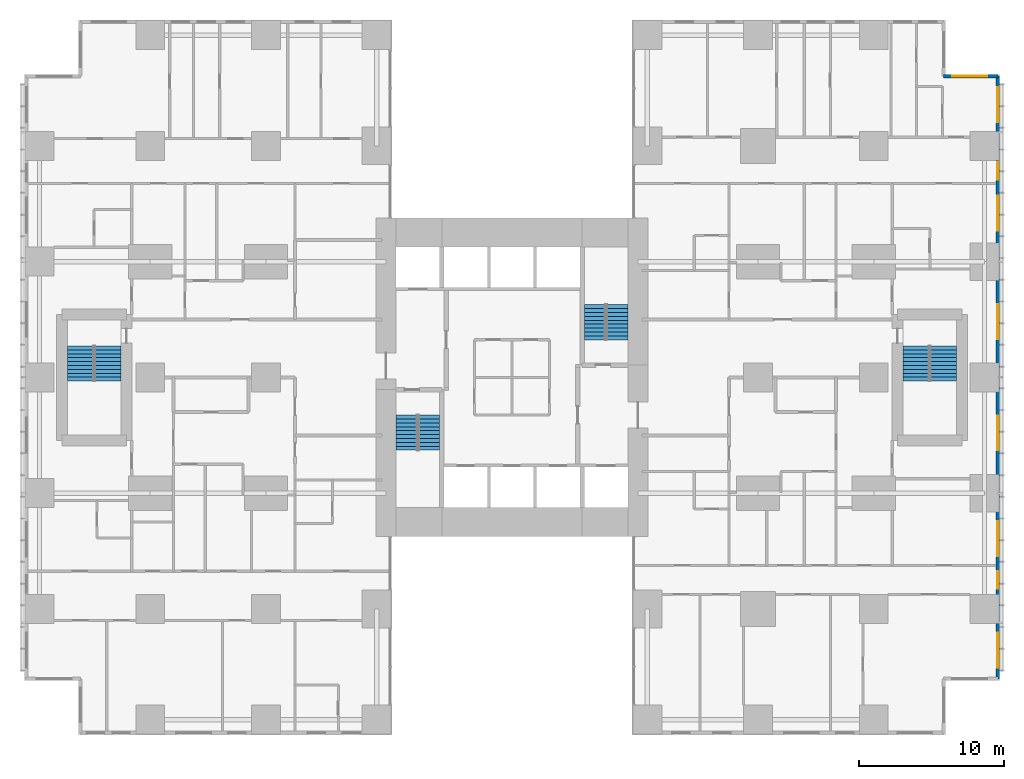
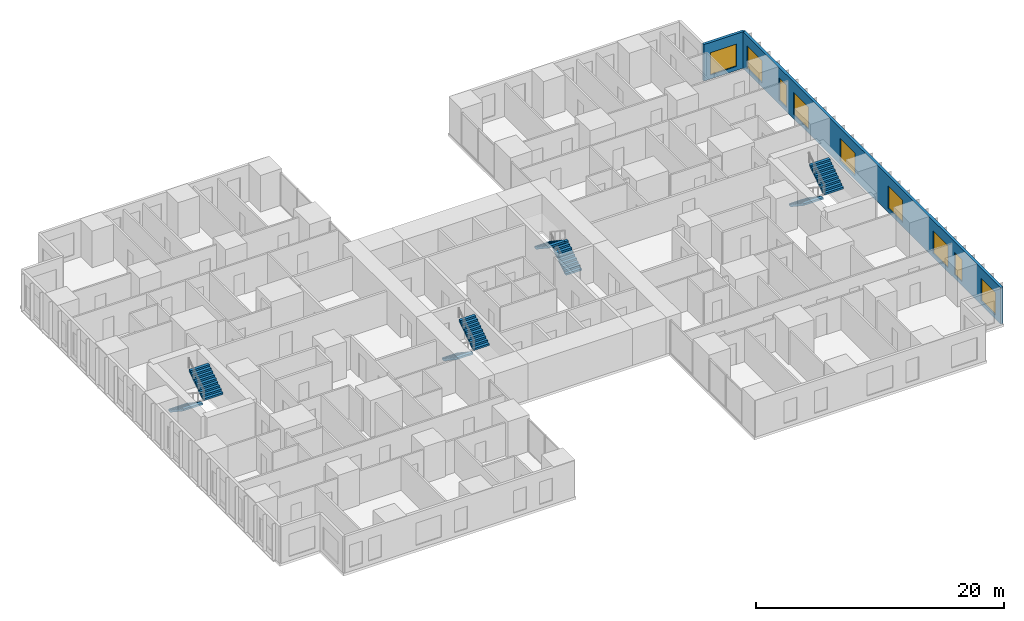
# One storey, part 19 of 20: 9 windows, 8 stair flights, 2 walls, 9 openings, 4 elements without a shape of their own.
"""IFC4 building model written with IfcOpenShell, lengths in metres."""

from ifc_helpers import new_model, si_unit, direction, frame, frame_2d, origin, place, context, subcontext, project, spatial, polyline, rectangle, outline, extrude, material, layer, layer_set, type_object, element, fill, aggregate, save


model = new_model("IFC4")

# Units and contexts
model_context = context("Model", 3, precision=1e-05, world=origin(), true_north=direction((0.0, 1.0)))
body_context = subcontext(model_context, "Body", "Model", "MODEL_VIEW")
ifc_project = project(units=[si_unit("LENGTHUNIT", "METRE"), si_unit("AREAUNIT", "SQUARE_METRE"), si_unit("VOLUMEUNIT", "CUBIC_METRE"), si_unit("PLANEANGLEUNIT", "RADIAN"), si_unit("MASSUNIT", "GRAM", prefix="KILO")], contexts=[model_context])

# Site, building, storey
site_placement = place(None, origin())
site = spatial("IfcSite", under=ifc_project, at=site_placement, CompositionType="ELEMENT")
building_placement = place(site_placement, origin())
building = spatial("IfcBuilding", under=site, at=building_placement, Name="Cleftline Residences", CompositionType="ELEMENT")
storey_placement = place(building_placement, frame((0.0, 0.0, 168.199951171875)))
storey = spatial("IfcBuildingStorey", under=building, at=storey_placement, Name="L44", CompositionType="ELEMENT", Elevation=168.199951171875)

# Wall, openings, windows
ifc_material_1 = material(Name="Rendered reinforced concrete blockwork", Category="masonry")
ifc_layer = layer(ifc_material_1, 0.25)
ifc_layer_set = layer_set([ifc_layer], Name="EXTERNAL WALL 250")
wall_type = type_object("IfcWallType", Name="EXTERNAL WALL 250", PredefinedType="SOLIDWALL", material=ifc_layer_set)
wall_1_placement = place(storey_placement, frame((66.574951171875, 3.175048828125, 0.0), z_axis=(0.0, 0.0, 1.0), x_axis=(0.0, 1.0, 0.0)))
wall_1 = element("IfcWall", 1, at=wall_1_placement, inside=storey, type_object=wall_type, Name="External wall", PredefinedType="SOLIDWALL", context=body_context, shape_type="SweptSolid", body=[
    extrude(rectangle(XDim=41.64990234375, YDim=0.25, at=frame_2d((20.824951171875, 0.0))), origin(), (0.0, 0.0, 1.0), 3.60009765625),
])
opening_1_placement = place(wall_1_placement, frame((0.77490234375, 0.0, 0.39990234375)))
opening_1 = element("IfcOpeningElement", 2, at=opening_1_placement, cuts=wall_1, Name="Opening W12", PredefinedType="OPENING", context=body_context, shape_type="SweptSolid", body=[
    extrude(rectangle(XDim=2.39990234375, YDim=2.199951171875, at=frame_2d((1.199951171875, 1.10009765625))), frame((0.0, 0.135009765625, 0.0), z_axis=(0.0, -1.0, 0.0), x_axis=(1.0, 0.0, 0.0)), (0.0, 0.0, 1.0), 0.27001953125),
])
opening_2_placement = place(wall_1_placement, frame((6.22509765625, 0.0, 0.39990234375)))
opening_2 = element("IfcOpeningElement", 3, at=opening_2_placement, cuts=wall_1, Name="Opening W11", PredefinedType="OPENING", context=body_context, shape_type="SweptSolid", body=[
    extrude(rectangle(XDim=1.199951171875, YDim=2.199951171875, at=frame_2d((0.60009765625, 1.10009765625))), frame((0.0, 0.135009765625, 0.0), z_axis=(0.0, -1.0, 0.0), x_axis=(1.0, 0.0, 0.0)), (0.0, 0.0, 1.0), 0.27001953125),
])
opening_3_placement = place(wall_1_placement, frame((8.47509765625, 0.0, 0.39990234375)))
opening_3 = element("IfcOpeningElement", 4, at=opening_3_placement, cuts=wall_1, Name="Opening W12", PredefinedType="OPENING", context=body_context, shape_type="SweptSolid", body=[
    extrude(rectangle(XDim=2.39990234375, YDim=2.199951171875, at=frame_2d((1.199951171875, 1.10009765625))), frame((0.0, 0.135009765625, 0.0), z_axis=(0.0, -1.0, 0.0), x_axis=(1.0, 0.0, 0.0)), (0.0, 0.0, 1.0), 0.27001953125),
])
opening_4_placement = place(wall_1_placement, frame((15.77490234375, 0.0, 0.39990234375)))
opening_4 = element("IfcOpeningElement", 5, at=opening_4_placement, cuts=wall_1, Name="Opening W12", PredefinedType="OPENING", context=body_context, shape_type="SweptSolid", body=[
    extrude(rectangle(XDim=2.39990234375, YDim=2.199951171875, at=frame_2d((1.199951171875, 1.10009765625))), frame((0.0, 0.135009765625, 0.0), z_axis=(0.0, -1.0, 0.0), x_axis=(1.0, 0.0, 0.0)), (0.0, 0.0, 1.0), 0.27001953125),
])
opening_5_placement = place(wall_1_placement, frame((23.47509765625, 0.0, 0.39990234375)))
opening_5 = element("IfcOpeningElement", 6, at=opening_5_placement, cuts=wall_1, Name="Opening W12", PredefinedType="OPENING", context=body_context, shape_type="SweptSolid", body=[
    extrude(rectangle(XDim=2.39990234375, YDim=2.199951171875, at=frame_2d((1.199951171875, 1.10009765625))), frame((0.0, 0.135009765625, 0.0), z_axis=(0.0, -1.0, 0.0), x_axis=(1.0, 0.0, 0.0)), (0.0, 0.0, 1.0), 0.27001953125),
])
opening_6_placement = place(wall_1_placement, frame((30.97509765625, 0.0, 0.39990234375)))
opening_6 = element("IfcOpeningElement", 7, at=opening_6_placement, cuts=wall_1, Name="Opening W12", PredefinedType="OPENING", context=body_context, shape_type="SweptSolid", body=[
    extrude(rectangle(XDim=2.39990234375, YDim=2.199951171875, at=frame_2d((1.199951171875, 1.10009765625))), frame((0.0, 0.135009765625, 0.0), z_axis=(0.0, -1.0, 0.0), x_axis=(1.0, 0.0, 0.0)), (0.0, 0.0, 1.0), 0.27001953125),
])
opening_7_placement = place(wall_1_placement, frame((34.5, 0.0, 0.39990234375)))
opening_7 = element("IfcOpeningElement", 8, at=opening_7_placement, cuts=wall_1, Name="Opening W11", PredefinedType="OPENING", context=body_context, shape_type="SweptSolid", body=[
    extrude(rectangle(XDim=1.199951171875, YDim=2.199951171875, at=frame_2d((0.60009765625, 1.10009765625))), frame((0.0, 0.135009765625, 0.0), z_axis=(0.0, -1.0, 0.0), x_axis=(1.0, 0.0, 0.0)), (0.0, 0.0, 1.0), 0.27001953125),
])
opening_8_placement = place(wall_1_placement, frame((38.47509765625, 0.0, 0.39990234375)))
opening_8 = element("IfcOpeningElement", 9, at=opening_8_placement, cuts=wall_1, Name="Opening W12", PredefinedType="OPENING", context=body_context, shape_type="SweptSolid", body=[
    extrude(rectangle(XDim=2.39990234375, YDim=2.199951171875, at=frame_2d((1.199951171875, 1.10009765625))), frame((0.0, 0.135009765625, 0.0), z_axis=(0.0, -1.0, 0.0), x_axis=(1.0, 0.0, 0.0)), (0.0, 0.0, 1.0), 0.27001953125),
])
ifc_material_2 = material(Name="Aluminium frame, clear double glazing", Category="aluminium")
window_type_1 = type_object("IfcWindowType", Name="WINDOW 1200X2200", PartitioningType="DOUBLE_PANEL_VERTICAL", PredefinedType="WINDOW", material=ifc_material_2)
window_1_placement = place(opening_2_placement, origin())
window_1 = element("IfcWindow", 10, at=window_1_placement, inside=storey, type_object=window_type_1, Name="Window", OverallHeight=2.199951171875, OverallWidth=1.199951171875, PartitioningType="SINGLE_PANEL", PredefinedType="WINDOW", context=body_context, shape_type="SweptSolid", body=[
    extrude(rectangle(XDim=1.199951171875, YDim=2.199951171875, at=frame_2d((0.60009765625, 1.10009765625))), frame((0.0, 0.030029296875, 0.0), z_axis=(0.0, -1.0, 0.0), x_axis=(1.0, 0.0, 0.0)), (0.0, 0.0, 1.0), 0.06005859375),
])
fill(opening_2, window_1)
window_2_placement = place(opening_7_placement, origin())
window_2 = element("IfcWindow", 11, at=window_2_placement, inside=storey, type_object=window_type_1, Name="Window", OverallHeight=2.199951171875, OverallWidth=1.199951171875, PartitioningType="SINGLE_PANEL", PredefinedType="WINDOW", context=body_context, shape_type="SweptSolid", body=[
    extrude(rectangle(XDim=1.199951171875, YDim=2.199951171875, at=frame_2d((0.60009765625, 1.10009765625))), frame((0.0, 0.030029296875, 0.0), z_axis=(0.0, -1.0, 0.0), x_axis=(1.0, 0.0, 0.0)), (0.0, 0.0, 1.0), 0.06005859375),
])
fill(opening_7, window_2)
ifc_material_3 = material(Name="Aluminium frame, clear double glazing", Category="aluminium")
window_type_2 = type_object("IfcWindowType", Name="WINDOW 2400X2200", PartitioningType="DOUBLE_PANEL_VERTICAL", PredefinedType="WINDOW", material=ifc_material_3)
window_3_placement = place(opening_1_placement, origin())
window_3 = element("IfcWindow", 12, at=window_3_placement, inside=storey, type_object=window_type_2, Name="Window", OverallHeight=2.199951171875, OverallWidth=2.39990234375, PartitioningType="SINGLE_PANEL", PredefinedType="WINDOW", context=body_context, shape_type="SweptSolid", body=[
    extrude(rectangle(XDim=2.39990234375, YDim=2.199951171875, at=frame_2d((1.199951171875, 1.10009765625))), frame((0.0, 0.030029296875, 0.0), z_axis=(0.0, -1.0, 0.0), x_axis=(1.0, 0.0, 0.0)), (0.0, 0.0, 1.0), 0.06005859375),
])
fill(opening_1, window_3)
window_4_placement = place(opening_3_placement, origin())
window_4 = element("IfcWindow", 13, at=window_4_placement, inside=storey, type_object=window_type_2, Name="Window", OverallHeight=2.199951171875, OverallWidth=2.39990234375, PartitioningType="SINGLE_PANEL", PredefinedType="WINDOW", context=body_context, shape_type="SweptSolid", body=[
    extrude(rectangle(XDim=2.39990234375, YDim=2.199951171875, at=frame_2d((1.199951171875, 1.10009765625))), frame((0.0, 0.030029296875, 0.0), z_axis=(0.0, -1.0, 0.0), x_axis=(1.0, 0.0, 0.0)), (0.0, 0.0, 1.0), 0.06005859375),
])
fill(opening_3, window_4)
window_5_placement = place(opening_4_placement, origin())
window_5 = element("IfcWindow", 14, at=window_5_placement, inside=storey, type_object=window_type_2, Name="Window", OverallHeight=2.199951171875, OverallWidth=2.39990234375, PartitioningType="SINGLE_PANEL", PredefinedType="WINDOW", context=body_context, shape_type="SweptSolid", body=[
    extrude(rectangle(XDim=2.39990234375, YDim=2.199951171875, at=frame_2d((1.199951171875, 1.10009765625))), frame((0.0, 0.030029296875, 0.0), z_axis=(0.0, -1.0, 0.0), x_axis=(1.0, 0.0, 0.0)), (0.0, 0.0, 1.0), 0.06005859375),
])
fill(opening_4, window_5)
window_6_placement = place(opening_5_placement, origin())
window_6 = element("IfcWindow", 15, at=window_6_placement, inside=storey, type_object=window_type_2, Name="Window", OverallHeight=2.199951171875, OverallWidth=2.39990234375, PartitioningType="SINGLE_PANEL", PredefinedType="WINDOW", context=body_context, shape_type="SweptSolid", body=[
    extrude(rectangle(XDim=2.39990234375, YDim=2.199951171875, at=frame_2d((1.199951171875, 1.10009765625))), frame((0.0, 0.030029296875, 0.0), z_axis=(0.0, -1.0, 0.0), x_axis=(1.0, 0.0, 0.0)), (0.0, 0.0, 1.0), 0.06005859375),
])
fill(opening_5, window_6)
window_7_placement = place(opening_6_placement, origin())
window_7 = element("IfcWindow", 16, at=window_7_placement, inside=storey, type_object=window_type_2, Name="Window", OverallHeight=2.199951171875, OverallWidth=2.39990234375, PartitioningType="SINGLE_PANEL", PredefinedType="WINDOW", context=body_context, shape_type="SweptSolid", body=[
    extrude(rectangle(XDim=2.39990234375, YDim=2.199951171875, at=frame_2d((1.199951171875, 1.10009765625))), frame((0.0, 0.030029296875, 0.0), z_axis=(0.0, -1.0, 0.0), x_axis=(1.0, 0.0, 0.0)), (0.0, 0.0, 1.0), 0.06005859375),
])
fill(opening_6, window_7)
window_8_placement = place(opening_8_placement, origin())
window_8 = element("IfcWindow", 17, at=window_8_placement, inside=storey, type_object=window_type_2, Name="Window", OverallHeight=2.199951171875, OverallWidth=2.39990234375, PartitioningType="SINGLE_PANEL", PredefinedType="WINDOW", context=body_context, shape_type="SweptSolid", body=[
    extrude(rectangle(XDim=2.39990234375, YDim=2.199951171875, at=frame_2d((1.199951171875, 1.10009765625))), frame((0.0, 0.030029296875, 0.0), z_axis=(0.0, -1.0, 0.0), x_axis=(1.0, 0.0, 0.0)), (0.0, 0.0, 1.0), 0.06005859375),
])
fill(opening_8, window_8)

# Wall, opening, window
wall_2_placement = place(storey_placement, frame((66.574951171875, 44.824951171875, 0.0), z_axis=(0.0, 0.0, 1.0), x_axis=(-1.0, 0.0, 0.0)))
wall_2 = element("IfcWall", 18, at=wall_2_placement, inside=storey, type_object=wall_type, Name="External wall", PredefinedType="SOLIDWALL", context=body_context, shape_type="SweptSolid", body=[
    extrude(rectangle(XDim=3.75, YDim=0.25, at=frame_2d((1.875, 0.0))), origin(), (0.0, 0.0, 1.0), 3.60009765625),
])
opening_9_placement = place(wall_2_placement, frame((0.737548828125, 0.0, 0.39990234375)))
opening_9 = element("IfcOpeningElement", 19, at=opening_9_placement, cuts=wall_2, Name="Opening W12", PredefinedType="OPENING", context=body_context, shape_type="SweptSolid", body=[
    extrude(rectangle(XDim=2.39990234375, YDim=2.199951171875, at=frame_2d((1.199951171875, 1.10009765625))), frame((0.0, 0.135009765625, 0.0), z_axis=(0.0, -1.0, 0.0), x_axis=(1.0, 0.0, 0.0)), (0.0, 0.0, 1.0), 0.27001953125),
])
window_9_placement = place(opening_9_placement, origin())
window_9 = element("IfcWindow", 20, at=window_9_placement, inside=storey, type_object=window_type_2, Name="Window", OverallHeight=2.199951171875, OverallWidth=2.39990234375, PartitioningType="SINGLE_PANEL", PredefinedType="WINDOW", context=body_context, shape_type="SweptSolid", body=[
    extrude(rectangle(XDim=2.39990234375, YDim=2.199951171875, at=frame_2d((1.199951171875, 1.10009765625))), frame((0.0, 0.030029296875, 0.0), z_axis=(0.0, -1.0, 0.0), x_axis=(1.0, 0.0, 0.0)), (0.0, 0.0, 1.0), 0.06005859375),
])
fill(opening_9, window_9)

# Stair, stair flights
ifc_material_4 = material(Name="Concrete B45, stone treads", Category="masonry")
stair_type_1 = type_object("IfcStairType", Name="STAIR A 1450 WIDE 180 RISER", PredefinedType="HALF_TURN_STAIR", material=ifc_material_4)
stair_1_placement = place(storey_placement, origin())
stair_1 = element("IfcStair", 21, at=stair_1_placement, inside=storey, type_object=stair_type_1, Name="Stair A L44", PredefinedType="HALF_TURN_STAIR")
ifc_material_5 = material(Name="Concrete B45", Category="concrete")
stair_flight_type_1 = type_object("IfcStairFlightType", Name="STAIR A FLIGHT 1450X180", PredefinedType="STRAIGHT", material=ifc_material_5)
stair_flight_1_placement = place(storey_placement, frame((25.72509765625, 21.39990234375, 0.0), z_axis=(0.0, 0.0, 1.0), x_axis=(0.0, -1.0, 0.0)))
stair_flight_1 = element("IfcStairFlight", 22, at=stair_flight_1_placement, type_object=stair_flight_type_1, Name="ST-A flight 1", NumberOfRisers=10, NumberOfTreads=9, PredefinedType="STRAIGHT", RiserHeight=0.18, TreadLength=0.27, context=body_context, shape_type="SweptSolid", body=[
    extrude(outline(polyline([(0.0, 0.0), (0.0, 0.013916015625), (0.0, 0.027587890625), (0.0, 0.04150390625), (0.0, 0.055419921875), (0.0, 0.0693359375), (0.0, 0.0830078125), (0.0, 0.096923828125), (0.0, 0.11083984375), (0.0, 0.12451171875), (0.0, 0.138427734375), (0.0, 0.15234375), (0.0, 0.166259765625), (0.0, 0.179931640625), (0.27001953125, 0.179931640625), (0.27001953125, 0.360107421875), (0.5400390625, 0.360107421875), (0.5400390625, 0.5400390625), (0.81005859375, 0.5400390625), (0.81005859375, 0.719970703125), (1.080078125, 0.719970703125), (1.080078125, 0.89990234375), (1.35009765625, 0.89990234375), (1.35009765625, 1.080078125), (1.6201171875, 1.080078125), (1.6201171875, 1.260009765625), (1.889892578125, 1.260009765625), (1.889892578125, 1.43994140625), (2.159912109375, 1.43994140625), (2.159912109375, 1.6201171875), (2.429931640625, 1.6201171875), (2.429931640625, 1.800048828125), (2.429931640625, 1.772216796875), (2.429931640625, 1.74462890625), (2.429931640625, 1.716796875), (2.429931640625, 1.689208984375), (2.429931640625, 1.661376953125), (2.429931640625, 1.6337890625), (2.429931640625, 1.60595703125), (2.429931640625, 1.578369140625), (2.429931640625, 1.550537109375), (2.429931640625, 1.52294921875), (2.429931640625, 1.495361328125), (2.429931640625, 1.467529296875), (2.429931640625, 1.43994140625), (0.270263671875, 0.0), (0.0, 0.0)])), frame((0.0, 0.72509765625, 0.0), z_axis=(0.0, -1.0, 0.0), x_axis=(1.0, 0.0, 0.0)), (0.0, 0.0, 1.0), 1.449951171875),
])
stair_flight_2_placement = place(storey_placement, frame((27.27490234375, 18.969970703125, 1.800048828125), z_axis=(0.0, 0.0, 1.0), x_axis=(0.0, 1.0, 0.0)))
stair_flight_2 = element("IfcStairFlight", 23, at=stair_flight_2_placement, type_object=stair_flight_type_1, Name="ST-A flight 2", NumberOfRisers=10, NumberOfTreads=9, PredefinedType="STRAIGHT", RiserHeight=0.18, TreadLength=0.27, context=body_context, shape_type="SweptSolid", body=[
    extrude(outline(polyline([(0.0, 0.0), (0.0, 0.013916015625), (0.0, 0.027587890625), (0.0, 0.04150390625), (0.0, 0.055419921875), (0.0, 0.0693359375), (0.0, 0.0830078125), (0.0, 0.096923828125), (0.0, 0.11083984375), (0.0, 0.12451171875), (0.0, 0.138427734375), (0.0, 0.15234375), (0.0, 0.166259765625), (0.0, 0.179931640625), (0.27001953125, 0.179931640625), (0.27001953125, 0.360107421875), (0.5400390625, 0.360107421875), (0.5400390625, 0.5400390625), (0.81005859375, 0.5400390625), (0.81005859375, 0.719970703125), (1.080078125, 0.719970703125), (1.080078125, 0.89990234375), (1.35009765625, 0.89990234375), (1.35009765625, 1.080078125), (1.6201171875, 1.080078125), (1.6201171875, 1.260009765625), (1.889892578125, 1.260009765625), (1.889892578125, 1.43994140625), (2.159912109375, 1.43994140625), (2.159912109375, 1.6201171875), (2.429931640625, 1.6201171875), (2.429931640625, 1.800048828125), (2.429931640625, 1.772216796875), (2.429931640625, 1.74462890625), (2.429931640625, 1.716796875), (2.429931640625, 1.689208984375), (2.429931640625, 1.661376953125), (2.429931640625, 1.6337890625), (2.429931640625, 1.60595703125), (2.429931640625, 1.578369140625), (2.429931640625, 1.550537109375), (2.429931640625, 1.52294921875), (2.429931640625, 1.495361328125), (2.429931640625, 1.467529296875), (2.429931640625, 1.43994140625), (0.270263671875, 0.0), (0.0, 0.0)])), frame((0.0, 0.72509765625, 0.0), z_axis=(0.0, -1.0, 0.0), x_axis=(1.0, 0.0, 0.0)), (0.0, 0.0, 1.0), 1.449951171875),
])
aggregate(stair_1, [stair_flight_1, stair_flight_2])

ifc_material_6 = material(Name="Concrete B45, stone treads", Category="masonry")
stair_type_2 = type_object("IfcStairType", Name="STAIR B 1450 WIDE 180 RISER", PredefinedType="HALF_TURN_STAIR", material=ifc_material_6)
stair_2_placement = place(storey_placement, origin())
stair_2 = element("IfcStair", 24, at=stair_2_placement, inside=storey, type_object=stair_type_2, Name="Stair B L44", PredefinedType="HALF_TURN_STAIR")
ifc_material_7 = material(Name="Concrete B45", Category="concrete")
stair_flight_type_2 = type_object("IfcStairFlightType", Name="STAIR B FLIGHT 1450X180", PredefinedType="STRAIGHT", material=ifc_material_7)
stair_flight_3_placement = place(storey_placement, frame((40.27490234375, 26.60009765625, 0.0), z_axis=(0.0, 0.0, 1.0), x_axis=(0.0, 1.0, 0.0)))
stair_flight_3 = element("IfcStairFlight", 25, at=stair_flight_3_placement, type_object=stair_flight_type_2, Name="ST-B flight 1", NumberOfRisers=10, NumberOfTreads=9, PredefinedType="STRAIGHT", RiserHeight=0.18, TreadLength=0.27, context=body_context, shape_type="SweptSolid", body=[
    extrude(outline(polyline([(0.0, 0.0), (0.0, 0.013916015625), (0.0, 0.027587890625), (0.0, 0.04150390625), (0.0, 0.055419921875), (0.0, 0.0693359375), (0.0, 0.0830078125), (0.0, 0.096923828125), (0.0, 0.11083984375), (0.0, 0.12451171875), (0.0, 0.138427734375), (0.0, 0.15234375), (0.0, 0.166259765625), (0.0, 0.179931640625), (0.27001953125, 0.179931640625), (0.27001953125, 0.360107421875), (0.5400390625, 0.360107421875), (0.5400390625, 0.5400390625), (0.81005859375, 0.5400390625), (0.81005859375, 0.719970703125), (1.080078125, 0.719970703125), (1.080078125, 0.89990234375), (1.35009765625, 0.89990234375), (1.35009765625, 1.080078125), (1.6201171875, 1.080078125), (1.6201171875, 1.260009765625), (1.889892578125, 1.260009765625), (1.889892578125, 1.43994140625), (2.159912109375, 1.43994140625), (2.159912109375, 1.6201171875), (2.429931640625, 1.6201171875), (2.429931640625, 1.800048828125), (2.429931640625, 1.772216796875), (2.429931640625, 1.74462890625), (2.429931640625, 1.716796875), (2.429931640625, 1.689208984375), (2.429931640625, 1.661376953125), (2.429931640625, 1.6337890625), (2.429931640625, 1.60595703125), (2.429931640625, 1.578369140625), (2.429931640625, 1.550537109375), (2.429931640625, 1.52294921875), (2.429931640625, 1.495361328125), (2.429931640625, 1.467529296875), (2.429931640625, 1.43994140625), (0.270263671875, 0.0), (0.0, 0.0)])), frame((0.0, 0.72509765625, 0.0), z_axis=(0.0, -1.0, 0.0), x_axis=(1.0, 0.0, 0.0)), (0.0, 0.0, 1.0), 1.449951171875),
])
stair_flight_4_placement = place(storey_placement, frame((38.72509765625, 29.030029296875, 1.800048828125), z_axis=(0.0, 0.0, 1.0), x_axis=(0.0, -1.0, 0.0)))
stair_flight_4 = element("IfcStairFlight", 26, at=stair_flight_4_placement, type_object=stair_flight_type_2, Name="ST-B flight 2", NumberOfRisers=10, NumberOfTreads=9, PredefinedType="STRAIGHT", RiserHeight=0.18, TreadLength=0.27, context=body_context, shape_type="SweptSolid", body=[
    extrude(outline(polyline([(0.0, 0.0), (0.0, 0.013916015625), (0.0, 0.027587890625), (0.0, 0.04150390625), (0.0, 0.055419921875), (0.0, 0.0693359375), (0.0, 0.0830078125), (0.0, 0.096923828125), (0.0, 0.11083984375), (0.0, 0.12451171875), (0.0, 0.138427734375), (0.0, 0.15234375), (0.0, 0.166259765625), (0.0, 0.179931640625), (0.27001953125, 0.179931640625), (0.27001953125, 0.360107421875), (0.5400390625, 0.360107421875), (0.5400390625, 0.5400390625), (0.81005859375, 0.5400390625), (0.81005859375, 0.719970703125), (1.080078125, 0.719970703125), (1.080078125, 0.89990234375), (1.35009765625, 0.89990234375), (1.35009765625, 1.080078125), (1.6201171875, 1.080078125), (1.6201171875, 1.260009765625), (1.889892578125, 1.260009765625), (1.889892578125, 1.43994140625), (2.159912109375, 1.43994140625), (2.159912109375, 1.6201171875), (2.429931640625, 1.6201171875), (2.429931640625, 1.800048828125), (2.429931640625, 1.772216796875), (2.429931640625, 1.74462890625), (2.429931640625, 1.716796875), (2.429931640625, 1.689208984375), (2.429931640625, 1.661376953125), (2.429931640625, 1.6337890625), (2.429931640625, 1.60595703125), (2.429931640625, 1.578369140625), (2.429931640625, 1.550537109375), (2.429931640625, 1.52294921875), (2.429931640625, 1.495361328125), (2.429931640625, 1.467529296875), (2.429931640625, 1.43994140625), (0.270263671875, 0.0), (0.0, 0.0)])), frame((0.0, 0.72509765625, 0.0), z_axis=(0.0, -1.0, 0.0), x_axis=(1.0, 0.0, 0.0)), (0.0, 0.0, 1.0), 1.449951171875),
])
aggregate(stair_2, [stair_flight_3, stair_flight_4])

ifc_material_8 = material(Name="Concrete B45, stone treads", Category="masonry")
stair_type_3 = type_object("IfcStairType", Name="STAIR E 1800 WIDE 180 RISER", PredefinedType="HALF_TURN_STAIR", material=ifc_material_8)
stair_3_placement = place(storey_placement, origin())
stair_3 = element("IfcStair", 27, at=stair_3_placement, inside=storey, type_object=stair_type_3, Name="Stair E L44", PredefinedType="HALF_TURN_STAIR")
ifc_material_9 = material(Name="Concrete B45", Category="concrete")
stair_flight_type_3 = type_object("IfcStairFlightType", Name="STAIR E FLIGHT 1800X180", PredefinedType="STRAIGHT", material=ifc_material_9)
stair_flight_5_placement = place(storey_placement, frame((60.925048828125, 26.175048828125, 0.0), z_axis=(0.0, 0.0, 1.0), x_axis=(0.0, -1.0, 0.0)))
stair_flight_5 = element("IfcStairFlight", 28, at=stair_flight_5_placement, type_object=stair_flight_type_3, Name="ST-E flight 1", NumberOfRisers=10, NumberOfTreads=9, PredefinedType="STRAIGHT", RiserHeight=0.18, TreadLength=0.27, context=body_context, shape_type="SweptSolid", body=[
    extrude(outline(polyline([(0.0, 0.0), (0.0, 0.013916015625), (0.0, 0.027587890625), (0.0, 0.04150390625), (0.0, 0.055419921875), (0.0, 0.0693359375), (0.0, 0.0830078125), (0.0, 0.096923828125), (0.0, 0.11083984375), (0.0, 0.12451171875), (0.0, 0.138427734375), (0.0, 0.15234375), (0.0, 0.166259765625), (0.0, 0.179931640625), (0.27001953125, 0.179931640625), (0.27001953125, 0.360107421875), (0.5400390625, 0.360107421875), (0.5400390625, 0.5400390625), (0.81005859375, 0.5400390625), (0.81005859375, 0.719970703125), (1.080078125, 0.719970703125), (1.080078125, 0.89990234375), (1.35009765625, 0.89990234375), (1.35009765625, 1.080078125), (1.6201171875, 1.080078125), (1.6201171875, 1.260009765625), (1.889892578125, 1.260009765625), (1.889892578125, 1.43994140625), (2.159912109375, 1.43994140625), (2.159912109375, 1.6201171875), (2.429931640625, 1.6201171875), (2.429931640625, 1.800048828125), (2.429931640625, 1.772216796875), (2.429931640625, 1.74462890625), (2.429931640625, 1.716796875), (2.429931640625, 1.689208984375), (2.429931640625, 1.661376953125), (2.429931640625, 1.6337890625), (2.429931640625, 1.60595703125), (2.429931640625, 1.578369140625), (2.429931640625, 1.550537109375), (2.429931640625, 1.52294921875), (2.429931640625, 1.495361328125), (2.429931640625, 1.467529296875), (2.429931640625, 1.43994140625), (0.270263671875, 0.0), (0.0, 0.0)])), frame((0.0, 0.89990234375, 0.0), z_axis=(0.0, -1.0, 0.0), x_axis=(1.0, 0.0, 0.0)), (0.0, 0.0, 1.0), 1.800048828125),
])
stair_flight_6_placement = place(storey_placement, frame((62.824951171875, 23.7451171875, 1.800048828125), z_axis=(0.0, 0.0, 1.0), x_axis=(0.0, 1.0, 0.0)))
stair_flight_6 = element("IfcStairFlight", 29, at=stair_flight_6_placement, type_object=stair_flight_type_3, Name="ST-E flight 2", NumberOfRisers=10, NumberOfTreads=9, PredefinedType="STRAIGHT", RiserHeight=0.18, TreadLength=0.27, context=body_context, shape_type="SweptSolid", body=[
    extrude(outline(polyline([(0.0, 0.0), (0.0, 0.013916015625), (0.0, 0.027587890625), (0.0, 0.04150390625), (0.0, 0.055419921875), (0.0, 0.0693359375), (0.0, 0.0830078125), (0.0, 0.096923828125), (0.0, 0.11083984375), (0.0, 0.12451171875), (0.0, 0.138427734375), (0.0, 0.15234375), (0.0, 0.166259765625), (0.0, 0.179931640625), (0.27001953125, 0.179931640625), (0.27001953125, 0.360107421875), (0.5400390625, 0.360107421875), (0.5400390625, 0.5400390625), (0.81005859375, 0.5400390625), (0.81005859375, 0.719970703125), (1.080078125, 0.719970703125), (1.080078125, 0.89990234375), (1.35009765625, 0.89990234375), (1.35009765625, 1.080078125), (1.6201171875, 1.080078125), (1.6201171875, 1.260009765625), (1.889892578125, 1.260009765625), (1.889892578125, 1.43994140625), (2.159912109375, 1.43994140625), (2.159912109375, 1.6201171875), (2.429931640625, 1.6201171875), (2.429931640625, 1.800048828125), (2.429931640625, 1.772216796875), (2.429931640625, 1.74462890625), (2.429931640625, 1.716796875), (2.429931640625, 1.689208984375), (2.429931640625, 1.661376953125), (2.429931640625, 1.6337890625), (2.429931640625, 1.60595703125), (2.429931640625, 1.578369140625), (2.429931640625, 1.550537109375), (2.429931640625, 1.52294921875), (2.429931640625, 1.495361328125), (2.429931640625, 1.467529296875), (2.429931640625, 1.43994140625), (0.270263671875, 0.0), (0.0, 0.0)])), frame((0.0, 0.89990234375, 0.0), z_axis=(0.0, -1.0, 0.0), x_axis=(1.0, 0.0, 0.0)), (0.0, 0.0, 1.0), 1.800048828125),
])
aggregate(stair_3, [stair_flight_5, stair_flight_6])

ifc_material_10 = material(Name="Concrete B45, stone treads", Category="masonry")
stair_type_4 = type_object("IfcStairType", Name="STAIR W 1800 WIDE 180 RISER", PredefinedType="HALF_TURN_STAIR", material=ifc_material_10)
stair_4_placement = place(storey_placement, origin())
stair_4 = element("IfcStair", 30, at=stair_4_placement, inside=storey, type_object=stair_type_4, Name="Stair W L44", PredefinedType="HALF_TURN_STAIR")
ifc_material_11 = material(Name="Concrete B45", Category="concrete")
stair_flight_type_4 = type_object("IfcStairFlightType", Name="STAIR W FLIGHT 1800X180", PredefinedType="STRAIGHT", material=ifc_material_11)
stair_flight_7_placement = place(storey_placement, frame((3.175048828125, 26.175048828125, 0.0), z_axis=(0.0, 0.0, 1.0), x_axis=(0.0, -1.0, 0.0)))
stair_flight_7 = element("IfcStairFlight", 31, at=stair_flight_7_placement, type_object=stair_flight_type_4, Name="ST-W flight 1", NumberOfRisers=10, NumberOfTreads=9, PredefinedType="STRAIGHT", RiserHeight=0.18, TreadLength=0.27, context=body_context, shape_type="SweptSolid", body=[
    extrude(outline(polyline([(0.0, 0.0), (0.0, 0.013916015625), (0.0, 0.027587890625), (0.0, 0.04150390625), (0.0, 0.055419921875), (0.0, 0.0693359375), (0.0, 0.0830078125), (0.0, 0.096923828125), (0.0, 0.11083984375), (0.0, 0.12451171875), (0.0, 0.138427734375), (0.0, 0.15234375), (0.0, 0.166259765625), (0.0, 0.179931640625), (0.27001953125, 0.179931640625), (0.27001953125, 0.360107421875), (0.5400390625, 0.360107421875), (0.5400390625, 0.5400390625), (0.81005859375, 0.5400390625), (0.81005859375, 0.719970703125), (1.080078125, 0.719970703125), (1.080078125, 0.89990234375), (1.35009765625, 0.89990234375), (1.35009765625, 1.080078125), (1.6201171875, 1.080078125), (1.6201171875, 1.260009765625), (1.889892578125, 1.260009765625), (1.889892578125, 1.43994140625), (2.159912109375, 1.43994140625), (2.159912109375, 1.6201171875), (2.429931640625, 1.6201171875), (2.429931640625, 1.800048828125), (2.429931640625, 1.772216796875), (2.429931640625, 1.74462890625), (2.429931640625, 1.716796875), (2.429931640625, 1.689208984375), (2.429931640625, 1.661376953125), (2.429931640625, 1.6337890625), (2.429931640625, 1.60595703125), (2.429931640625, 1.578369140625), (2.429931640625, 1.550537109375), (2.429931640625, 1.52294921875), (2.429931640625, 1.495361328125), (2.429931640625, 1.467529296875), (2.429931640625, 1.43994140625), (0.270263671875, 0.0), (0.0, 0.0)])), frame((0.0, 0.89990234375, 0.0), z_axis=(0.0, -1.0, 0.0), x_axis=(1.0, 0.0, 0.0)), (0.0, 0.0, 1.0), 1.800048828125),
])
stair_flight_8_placement = place(storey_placement, frame((5.074951171875, 23.7451171875, 1.800048828125), z_axis=(0.0, 0.0, 1.0), x_axis=(0.0, 1.0, 0.0)))
stair_flight_8 = element("IfcStairFlight", 32, at=stair_flight_8_placement, type_object=stair_flight_type_4, Name="ST-W flight 2", NumberOfRisers=10, NumberOfTreads=9, PredefinedType="STRAIGHT", RiserHeight=0.18, TreadLength=0.27, context=body_context, shape_type="SweptSolid", body=[
    extrude(outline(polyline([(0.0, 0.0), (0.0, 0.013916015625), (0.0, 0.027587890625), (0.0, 0.04150390625), (0.0, 0.055419921875), (0.0, 0.0693359375), (0.0, 0.0830078125), (0.0, 0.096923828125), (0.0, 0.11083984375), (0.0, 0.12451171875), (0.0, 0.138427734375), (0.0, 0.15234375), (0.0, 0.166259765625), (0.0, 0.179931640625), (0.27001953125, 0.179931640625), (0.27001953125, 0.360107421875), (0.5400390625, 0.360107421875), (0.5400390625, 0.5400390625), (0.81005859375, 0.5400390625), (0.81005859375, 0.719970703125), (1.080078125, 0.719970703125), (1.080078125, 0.89990234375), (1.35009765625, 0.89990234375), (1.35009765625, 1.080078125), (1.6201171875, 1.080078125), (1.6201171875, 1.260009765625), (1.889892578125, 1.260009765625), (1.889892578125, 1.43994140625), (2.159912109375, 1.43994140625), (2.159912109375, 1.6201171875), (2.429931640625, 1.6201171875), (2.429931640625, 1.800048828125), (2.429931640625, 1.772216796875), (2.429931640625, 1.74462890625), (2.429931640625, 1.716796875), (2.429931640625, 1.689208984375), (2.429931640625, 1.661376953125), (2.429931640625, 1.6337890625), (2.429931640625, 1.60595703125), (2.429931640625, 1.578369140625), (2.429931640625, 1.550537109375), (2.429931640625, 1.52294921875), (2.429931640625, 1.495361328125), (2.429931640625, 1.467529296875), (2.429931640625, 1.43994140625), (0.270263671875, 0.0), (0.0, 0.0)])), frame((0.0, 0.89990234375, 0.0), z_axis=(0.0, -1.0, 0.0), x_axis=(1.0, 0.0, 0.0)), (0.0, 0.0, 1.0), 1.800048828125),
])
aggregate(stair_4, [stair_flight_7, stair_flight_8])

save(model, "model.ifc")
